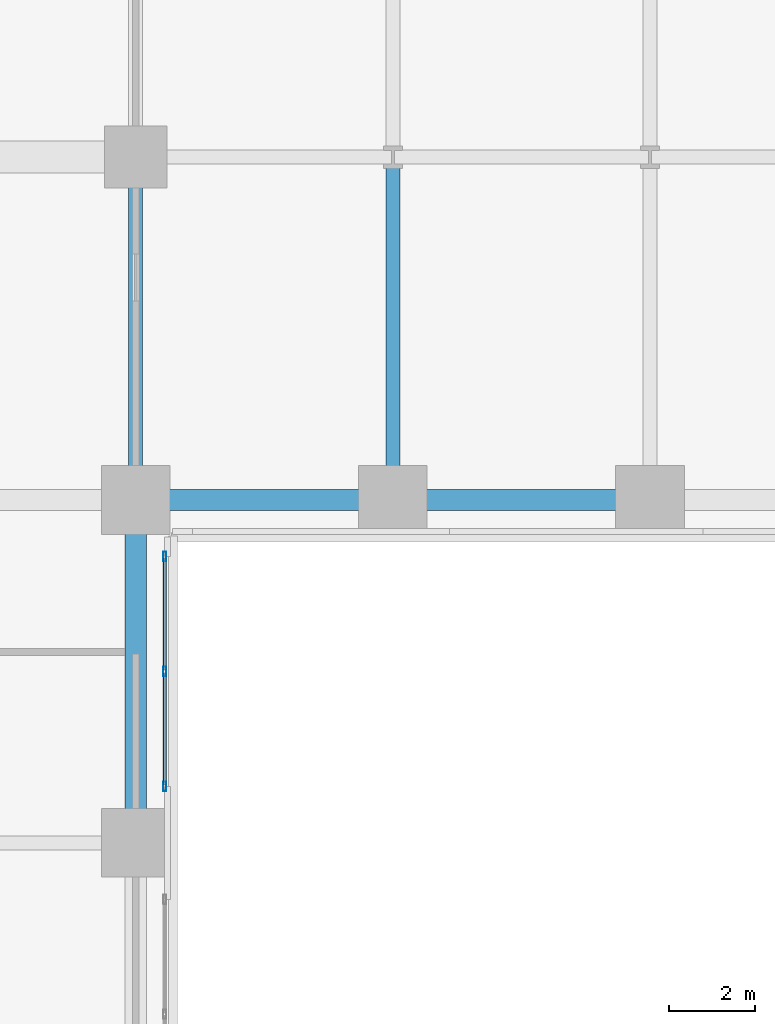
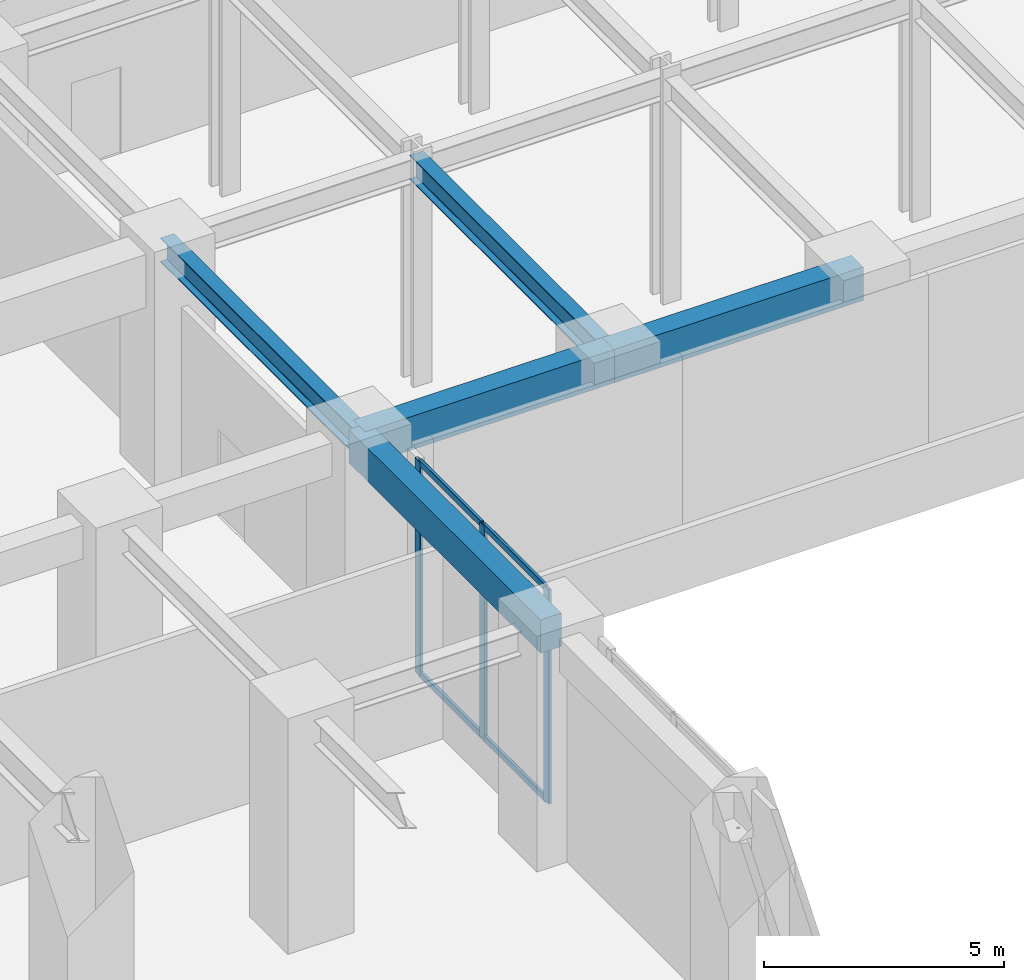
# One storey, part 13 of 34: 7 members, 5 beams, 1 element without a shape of its own.
"""IFC4 building model written with IfcOpenShell, lengths in metres."""

import ifcopenshell
import ifcopenshell.guid

model = None  # the IFC model being written
_history = None  # IfcOwnerHistory: only IFC2X3 demands one
_inside = {}  # id of a spatial element -> (the spatial element, [elements in it])
_under = {}  # id of a project, library or spatial element -> (it, [spatial elements below it])
_declared = {}  # id of a project -> (the project, [libraries it declares])
_typed = {}  # id of a type object -> (the type object, [elements of that type])
_made_of = {}  # id of a material, layer set ... -> (it, [elements and type objects made of it])


def new_model(schema):
    """Start an empty IFC model of exactly this schema.

    Asked for "IFC4X3", IfcOpenShell would pick the latest addendum, in which some entities
    have other attributes; the version numbers below select the first issue.
    IFC2X3 requires an IfcOwnerHistory on every rooted entity: one is made here for all.
    """
    global model, _history
    if schema == "IFC4X3":
        model = ifcopenshell.file(schema_version=(4, 3, 0, 0))
    else:
        model = ifcopenshell.file(schema=schema)
    _inside.clear()
    _under.clear()
    _declared.clear()
    _typed.clear()
    _made_of.clear()
    _history = None
    if model.schema == "IFC2X3":
        org = make("IfcOrganization", Name="unknown")
        user = make(
            "IfcPersonAndOrganization",
            ThePerson=make("IfcPerson", FamilyName="unknown"),
            TheOrganization=org,
        )
        app = make(
            "IfcApplication",
            ApplicationDeveloper=org,
            Version="unknown",
            ApplicationFullName="unknown",
            ApplicationIdentifier="unknown",
        )
        _history = make(
            "IfcOwnerHistory",
            OwningUser=user,
            OwningApplication=app,
            ChangeAction="ADDED",
            CreationDate=0,
        )
    return model


def make(cls, **values):
    """One entity of the class cls with the attributes given. An attribute that is None is left unset."""
    return model.create_entity(
        cls, **{name: value for name, value in values.items() if value is not None}
    )


def rooted(cls, **values):
    """An entity with a GlobalId (a new one), such as an element, a storey or a relation."""
    return make(cls, GlobalId=ifcopenshell.guid.new(), OwnerHistory=_history, **values)


def si_unit(unit_type, name, prefix=None):
    """IfcSIUnit, for example si_unit("LENGTHUNIT", "METRE", prefix="MILLI")."""
    return make("IfcSIUnit", UnitType=unit_type, Prefix=prefix, Name=name)


def assignment(units):
    """IfcUnitAssignment: the units of a project."""
    return None if units is None else make("IfcUnitAssignment", Units=units)


def point(xyz):
    """IfcCartesianPoint."""
    return None if xyz is None else make("IfcCartesianPoint", Coordinates=xyz)


def direction(xyz):
    """IfcDirection."""
    return None if xyz is None else make("IfcDirection", DirectionRatios=xyz)


def frame(location, z_axis=None, x_axis=None):
    """IfcAxis2Placement3D, a coordinate frame: its origin and axes. An axis left out is left unset."""
    return make(
        "IfcAxis2Placement3D",
        Location=point(location),
        Axis=direction(z_axis),
        RefDirection=direction(x_axis),
    )


def frame_2d(location, x_axis=None):
    """IfcAxis2Placement2D, a coordinate frame in the plane: its origin and x axis."""
    return make(
        "IfcAxis2Placement2D", Location=point(location), RefDirection=direction(x_axis)
    )


def origin():
    """The frame at (0, 0, 0) with its axes left unset."""
    return frame((0.0, 0.0, 0.0))


def origin_2d():
    """The frame at (0, 0) in the plane with its x axis left unset."""
    return frame_2d((0.0, 0.0))


def place(relative_to, where):
    """IfcLocalPlacement: puts the frame where relative to a parent placement (None: the world)."""
    return make(
        "IfcLocalPlacement", PlacementRelTo=relative_to, RelativePlacement=where
    )


def context(
    kind, dimensions, precision=None, world=None, true_north=None, identifier=None
):
    """IfcGeometricRepresentationContext, for example the 3D "Model" context."""
    return make(
        "IfcGeometricRepresentationContext",
        ContextIdentifier=identifier,
        ContextType=kind,
        CoordinateSpaceDimension=dimensions,
        Precision=precision,
        WorldCoordinateSystem=world,
        TrueNorth=true_north,
    )


def subcontext(parent, identifier, kind, view, scale=None):
    """IfcGeometricRepresentationSubContext, for example "Body" below "Model"."""
    return make(
        "IfcGeometricRepresentationSubContext",
        ContextIdentifier=identifier,
        ContextType=kind,
        ParentContext=parent,
        TargetScale=scale,
        TargetView=view,
    )


def project(units=None, contexts=None):
    """IfcProject with its units and contexts."""
    return rooted(
        "IfcProject",
        Name="project",
        RepresentationContexts=contexts,
        UnitsInContext=assignment(units),
    )


def spatial(cls, under=None, at=None, **own):
    """A site, building, storey or space (cls), placed at a placement, below another one or the project."""
    s = rooted(cls, ObjectPlacement=at, **own)
    if under is not None:
        _under.setdefault(under.id(), (under, []))[1].append(s)
    return s


def profile(cls, at=None, kind="AREA", **sizes):
    """A parametric profile (cls). Its sizes go by their IFC names, for example OverallWidth=200.0."""
    return make(cls, ProfileType=kind, Position=at, **sizes)


def rectangle(**sizes):
    """IfcRectangleProfileDef."""
    return profile("IfcRectangleProfileDef", **sizes)


def hollow_rectangle(**sizes):
    """IfcRectangleHollowProfileDef."""
    return profile("IfcRectangleHollowProfileDef", **sizes)


def i_section(**sizes):
    """IfcIShapeProfileDef."""
    return profile("IfcIShapeProfileDef", **sizes)


def extrude(swept, where, along, depth):
    """IfcExtrudedAreaSolid: the profile swept, set in the frame where, extruded along a direction by depth."""
    return make(
        "IfcExtrudedAreaSolid",
        SweptArea=swept,
        Position=where,
        ExtrudedDirection=direction(along),
        Depth=depth,
    )


def shape(context_of_items, identifier, shape_type, items):
    """IfcShapeRepresentation: the items that make up one representation, for example the "Body"."""
    return make(
        "IfcShapeRepresentation",
        ContextOfItems=context_of_items,
        RepresentationIdentifier=identifier,
        RepresentationType=shape_type,
        Items=items,
    )


def source(mapping_origin, context_of_items, identifier, shape_type, items):
    """IfcRepresentationMap: a shape defined once, which mapped items show again and again."""
    return make(
        "IfcRepresentationMap",
        MappingOrigin=mapping_origin,
        MappedRepresentation=shape(context_of_items, identifier, shape_type, items),
    )


def transform(
    local_origin,
    x_axis=None,
    y_axis=None,
    z_axis=None,
    scale=None,
    scale2=None,
    scale3=None,
    uniform=True,
):
    """IfcCartesianTransformationOperator3D, or its non-uniform kind. x_axis, y_axis, z_axis: its Axis1, 2, 3."""
    if uniform:
        return make(
            "IfcCartesianTransformationOperator3D",
            Axis1=direction(x_axis),
            Axis2=direction(y_axis),
            LocalOrigin=point(local_origin),
            Scale=scale,
            Axis3=direction(z_axis),
        )
    return make(
        "IfcCartesianTransformationOperator3DnonUniform",
        Axis1=direction(x_axis),
        Axis2=direction(y_axis),
        LocalOrigin=point(local_origin),
        Scale=scale,
        Axis3=direction(z_axis),
        Scale2=scale2,
        Scale3=scale3,
    )


def mapped(mapping_source, mapping_target):
    """IfcMappedItem: shows the shape of a source again, moved by a transform."""
    return make(
        "IfcMappedItem", MappingSource=mapping_source, MappingTarget=mapping_target
    )


def material(Name=None, Category=None):
    """IfcMaterial."""
    return make("IfcMaterial", Name=Name, Category=Category)


def material_profile(
    of_material, cross_section, Name=None, Category=None, Priority=None
):
    """IfcMaterialProfile: a cross section and its material."""
    return make(
        "IfcMaterialProfile",
        Name=Name,
        Material=of_material,
        Profile=cross_section,
        Priority=Priority,
        Category=Category,
    )


def profile_set(profiles, Name=None, composite=None):
    """IfcMaterialProfileSet."""
    return make(
        "IfcMaterialProfileSet",
        Name=Name,
        MaterialProfiles=profiles,
        CompositeProfile=composite,
    )


def made_of(thing, what):
    """Note that an element or type object is made of a material, layer set ...; save() writes the relation."""
    if what is not None:
        _made_of.setdefault(what.id(), (what, []))[1].append(thing)
    return thing


def type_object(cls, material=None, **own):
    """A type object (cls), such as IfcWallType, which elements share."""
    return made_of(rooted(cls, **own), material)


def element(
    cls,
    number,
    at=None,
    inside=None,
    cuts=None,
    type_object=None,
    material=None,
    context=None,
    identifier="Body",
    shape_type=None,
    held_by="IfcProductDefinitionShape",
    body=None,
    shapes=None,
    **own,
):
    """One element of the class cls, such as IfcWall. Its Tag is "e" and its number.

    at: its placement. inside: the storey or other place that contains it. cuts: it is an
    opening in that element (IfcRelVoidsElement). A single representation is given by context,
    identifier, shape_type and body (its items); several are given by shapes. held_by: the class
    of the entity that holds the representations. save() writes the other relations.
    """
    e = rooted(cls, Tag="e%d" % number, ObjectPlacement=at, **own)
    if body is not None:
        shapes = [shape(context, identifier, shape_type, body)]
    if shapes is not None:
        e.Representation = make(held_by, Representations=shapes)
    if inside is not None:
        _inside.setdefault(inside.id(), (inside, []))[1].append(e)
    if cuts is not None:
        rooted(
            "IfcRelVoidsElement", RelatingBuildingElement=cuts, RelatedOpeningElement=e
        )
    if type_object is not None:
        _typed.setdefault(type_object.id(), (type_object, []))[1].append(e)
    return made_of(e, material)


def aggregate(whole, parts):
    """IfcRelAggregates: a whole, such as a stair, and the parts it consists of."""
    return rooted("IfcRelAggregates", RelatingObject=whole, RelatedObjects=parts)


def save(model, path):
    """Write the relations noted so far, then the file.

    IfcRelAggregates (storeys below a building ...), IfcRelContainedInSpatialStructure (elements
    in a storey), IfcRelDefinesByType, IfcRelAssociatesMaterial and IfcRelDeclares: one each for
    every whole, place, type object, material and project.
    """
    for whole, parts in _under.values():
        aggregate(whole, parts)
    for where, things in _inside.values():
        rooted(
            "IfcRelContainedInSpatialStructure",
            RelatedElements=things,
            RelatingStructure=where,
        )
    for kind, things in _typed.values():
        rooted("IfcRelDefinesByType", RelatedObjects=things, RelatingType=kind)
    for what, things in _made_of.values():
        rooted("IfcRelAssociatesMaterial", RelatedObjects=things, RelatingMaterial=what)
    for by, libraries in _declared.values():
        rooted("IfcRelDeclares", RelatingContext=by, RelatedDefinitions=libraries)
    model.write(path)


model = new_model("IFC4")

# Units and contexts
model_context = context("Model", 3, precision=1e-05, world=origin(), true_north=direction((0.0, 1.0)))
body_context = subcontext(model_context, "Body", "Model", "MODEL_VIEW")
ifc_project = project(units=[si_unit("LENGTHUNIT", "METRE"), si_unit("AREAUNIT", "SQUARE_METRE"), si_unit("VOLUMEUNIT", "CUBIC_METRE"), si_unit("PLANEANGLEUNIT", "RADIAN"), si_unit("MASSUNIT", "GRAM", prefix="KILO")], contexts=[model_context])

# Site, building, storey
site_placement = place(None, origin())
site = spatial("IfcSite", under=ifc_project, at=site_placement, CompositionType="ELEMENT")
building_placement = place(site_placement, origin())
building = spatial("IfcBuilding", under=site, at=building_placement, Name="Torre Montelarca", CompositionType="ELEMENT")
storey_placement = place(building_placement, frame((0.0, 0.0, 6.0)))
storey = spatial("IfcBuildingStorey", under=building, at=storey_placement, Name="L02", CompositionType="ELEMENT", Elevation=6.0)

# Beams
ifc_material_1 = material(Name="Concrete C55/67", Category="concrete")
ifc_material_profile_1 = material_profile(ifc_material_1, rectangle(XDim=0.5, YDim=0.85009765625, at=origin_2d()), Name="RCB500X850", Category="concrete")
ifc_profile_set_1 = profile_set([ifc_material_profile_1], Name="Concrete C55/67")
beam_type_1 = type_object("IfcBeamType", Name="BM-SP-RC850-EXT", PredefinedType="SPANDREL", material=ifc_profile_set_1)
shared_shape_1 = source(origin(), body_context, "Body", "SweptSolid", [
    extrude(rectangle(XDim=0.5, YDim=0.85009765625, at=origin_2d()), origin(), (0.0, 0.0, 1.0), 6.0),
])
for number, where, z_axis, x_axis, name in (
    (1, (48.0, 24.0, 5.31494140625), (1.0, 0.0, 0.0), (0.0, 1.0, 0.0), "L02 Grid Girder X 48.0-54.0 at Y=24.0"),
    (2, (54.0, 24.0, 5.31494140625), (1.0, 0.0, 0.0), (0.0, 1.0, 0.0), "L02 Grid Girder X 54.0-60.0 at Y=24.0"),
):
    element("IfcBeam", number, at=place(storey_placement, frame(where, z_axis=z_axis, x_axis=x_axis)), inside=storey, type_object=beam_type_1, Name=name, PredefinedType="SPANDREL", context=body_context, shape_type="MappedRepresentation", body=[
        mapped(shared_shape_1, transform((0.0, 0.0, 0.0), scale=1.0)),
    ])
shared_shape_2 = source(origin(), body_context, "Body", "SweptSolid", [
    extrude(rectangle(XDim=0.5, YDim=0.85009765625, at=origin_2d()), origin(), (0.0, 0.0, 1.0), 8.0),
])
beam_placement = place(storey_placement, frame((48.0, 16.0, 5.31494140625), z_axis=(0.0, 1.0, 0.0), x_axis=(-1.0, 0.0, 0.0)))
element("IfcBeam", 3, at=beam_placement, inside=storey, type_object=beam_type_1, Name="L02 Grid Girder Y 16.0-24.0 at X=48.0", PredefinedType="SPANDREL", context=body_context, shape_type="MappedRepresentation", body=[
    mapped(shared_shape_2, transform((0.0, 0.0, 0.0), scale=1.0)),
])
ifc_material_2 = material(Name="Steel ASTM A992 Grade 50", Category="steel")
ifc_material_profile_2 = material_profile(ifc_material_2, i_section(OverallWidth=0.326904296875, OverallDepth=0.6220703125, WebThickness=0.015380859375, FlangeThickness=0.0244140625, FilletRadius=0.014892578125, at=origin_2d()), Name="W610X195", Category="steel")
ifc_profile_set_2 = profile_set([ifc_material_profile_2], Name="Steel ASTM A992 Grade 50")
beam_type_2 = type_object("IfcBeamType", Name="BM-G-W610H", PredefinedType="BEAM", material=ifc_profile_set_2)
shared_shape_3 = source(origin(), body_context, "Body", "SweptSolid", [
    extrude(i_section(OverallWidth=0.326904296875, OverallDepth=0.6220703125, WebThickness=0.015380859375, FlangeThickness=0.0244140625, FilletRadius=0.014892578125, at=origin_2d()), origin(), (0.0, 0.0, 1.0), 8.0),
])
for number, where, z_axis, x_axis, name in (
    (4, (48.0, 24.0, 5.428955078125), (0.0, 1.0, 0.0), (-1.0, 0.0, 0.0), "L02 Grid Girder Y 24.0-32.0 at X=48.0"),
    (5, (54.0, 24.0, 5.428955078125), (0.0, 1.0, 0.0), (-1.0, 0.0, 0.0), "L02 Grid Girder Y 24.0-32.0 at X=54.0"),
):
    element("IfcBeam", number, at=place(storey_placement, frame(where, z_axis=z_axis, x_axis=x_axis)), inside=storey, type_object=beam_type_2, Name=name, PredefinedType="BEAM", context=body_context, shape_type="MappedRepresentation", body=[
        mapped(shared_shape_3, transform((0.0, 0.0, 0.0), scale=1.0)),
    ])

# Curtain wall, members
ifc_material_3 = material(Name="Insulated low-E laminated glass", Category="glass")
curtain_wall_type = type_object("IfcCurtainWallType", Name="CW-SYS-POD2", PredefinedType="USERDEFINED", material=ifc_material_3)
curtain_wall_placement = place(storey_placement, origin())
curtain_wall = element("IfcCurtainWall", 6, at=curtain_wall_placement, inside=storey, type_object=curtain_wall_type, Name="L02 Curtain Wall Run CW-T3-L02-E03-B2", ObjectType="UNITISED GLAZING", PredefinedType="USERDEFINED")
ifc_material_4 = material(Name="Anodised aluminium AA 6063-T6", Category="aluminium")
ifc_material_profile_3 = material_profile(ifc_material_4, hollow_rectangle(XDim=0.074951171875, YDim=0.219970703125, WallThickness=0.0048828125, InnerFilletRadius=0.0048828125, OuterFilletRadius=0.010009765625, at=origin_2d()), Name="ALU75X220X5", Category="aluminium")
ifc_profile_set_3 = profile_set([ifc_material_profile_3], Name="Anodised aluminium AA 6063-T6")
member_type_1 = type_object("IfcMemberType", Name="CWM-ALU220", PredefinedType="MULLION", material=ifc_profile_set_3)
shared_shape_4 = source(origin(), body_context, "Body", "SweptSolid", [
    extrude(hollow_rectangle(XDim=0.074951171875, YDim=0.219970703125, WallThickness=0.0048828125, InnerFilletRadius=0.0048828125, OuterFilletRadius=0.010009765625, at=origin_2d()), origin(), (0.0, 0.0, 1.0), 5.449951171875),
])
member_1_placement = place(storey_placement, frame((48.679931640625, 17.3173828125, 0.0), z_axis=(0.0, 0.0, 1.0), x_axis=(-1.0, 0.0, 0.0)))
member_1 = element("IfcMember", 7, at=member_1_placement, type_object=member_type_1, Name="CW mullion 1", PredefinedType="MULLION", context=body_context, shape_type="MappedRepresentation", body=[
    mapped(shared_shape_4, transform((0.0, 0.0, 0.0), scale=1.0)),
])
member_2_placement = place(storey_placement, frame((48.679931640625, 20.0, 0.0), z_axis=(0.0, 0.0, 1.0), x_axis=(-1.0, 0.0, 0.0)))
member_2 = element("IfcMember", 8, at=member_2_placement, type_object=member_type_1, Name="CW mullion 2", PredefinedType="MULLION", context=body_context, shape_type="MappedRepresentation", body=[
    mapped(shared_shape_4, transform((0.0, 0.0, 0.0), scale=1.0)),
])
member_3_placement = place(storey_placement, frame((48.679931640625, 22.6826171875, 0.0), z_axis=(0.0, 0.0, 1.0), x_axis=(-1.0, 0.0, 0.0)))
member_3 = element("IfcMember", 9, at=member_3_placement, type_object=member_type_1, Name="CW mullion 3", PredefinedType="MULLION", context=body_context, shape_type="MappedRepresentation", body=[
    mapped(shared_shape_4, transform((0.0, 0.0, 0.0), scale=1.0)),
])
ifc_material_profile_4 = material_profile(ifc_material_4, hollow_rectangle(XDim=0.074951171875, YDim=0.159912109375, WallThickness=0.0048828125, InnerFilletRadius=0.0048828125, OuterFilletRadius=0.010009765625, at=origin_2d()), Name="ALU75X160X5", Category="aluminium")
ifc_profile_set_4 = profile_set([ifc_material_profile_4], Name="Anodised aluminium AA 6063-T6")
member_type_2 = type_object("IfcMemberType", Name="CWT-ALU160", PredefinedType="USERDEFINED", material=ifc_profile_set_4)
shared_shape_5 = source(origin(), body_context, "Body", "SweptSolid", [
    extrude(hollow_rectangle(XDim=0.074951171875, YDim=0.159912109375, WallThickness=0.0048828125, InnerFilletRadius=0.0048828125, OuterFilletRadius=0.010009765625, at=origin_2d()), origin(), (0.0, 0.0, 1.0), 2.607421875),
])
member_4_placement = place(storey_placement, frame((48.679931640625, 17.35498046875, 0.03759765625), z_axis=(0.0, 1.0, 0.0), x_axis=(-1.0, 0.0, 0.0)))
member_4 = element("IfcMember", 10, at=member_4_placement, type_object=member_type_2, Name="CW transom 1.1", ObjectType="TRANSOM", PredefinedType="USERDEFINED", context=body_context, shape_type="MappedRepresentation", body=[
    mapped(shared_shape_5, transform((0.0, 0.0, 0.0), scale=1.0)),
])
member_5_placement = place(storey_placement, frame((48.679931640625, 17.35498046875, 5.41259765625), z_axis=(0.0, 1.0, 0.0), x_axis=(-1.0, 0.0, 0.0)))
member_5 = element("IfcMember", 11, at=member_5_placement, type_object=member_type_2, Name="CW transom 1.2", ObjectType="TRANSOM", PredefinedType="USERDEFINED", context=body_context, shape_type="MappedRepresentation", body=[
    mapped(shared_shape_5, transform((0.0, 0.0, 0.0), scale=1.0)),
])
member_6_placement = place(storey_placement, frame((48.679931640625, 20.03759765625, 0.03759765625), z_axis=(0.0, 1.0, 0.0), x_axis=(-1.0, 0.0, 0.0)))
member_6 = element("IfcMember", 12, at=member_6_placement, type_object=member_type_2, Name="CW transom 2.1", ObjectType="TRANSOM", PredefinedType="USERDEFINED", context=body_context, shape_type="MappedRepresentation", body=[
    mapped(shared_shape_5, transform((0.0, 0.0, 0.0), scale=1.0)),
])
member_7_placement = place(storey_placement, frame((48.679931640625, 20.03759765625, 5.41259765625), z_axis=(0.0, 1.0, 0.0), x_axis=(-1.0, 0.0, 0.0)))
member_7 = element("IfcMember", 13, at=member_7_placement, type_object=member_type_2, Name="CW transom 2.2", ObjectType="TRANSOM", PredefinedType="USERDEFINED", context=body_context, shape_type="MappedRepresentation", body=[
    mapped(shared_shape_5, transform((0.0, 0.0, 0.0), scale=1.0)),
])
aggregate(curtain_wall, [member_1, member_2, member_3, member_4, member_5, member_6, member_7])

save(model, "model.ifc")
